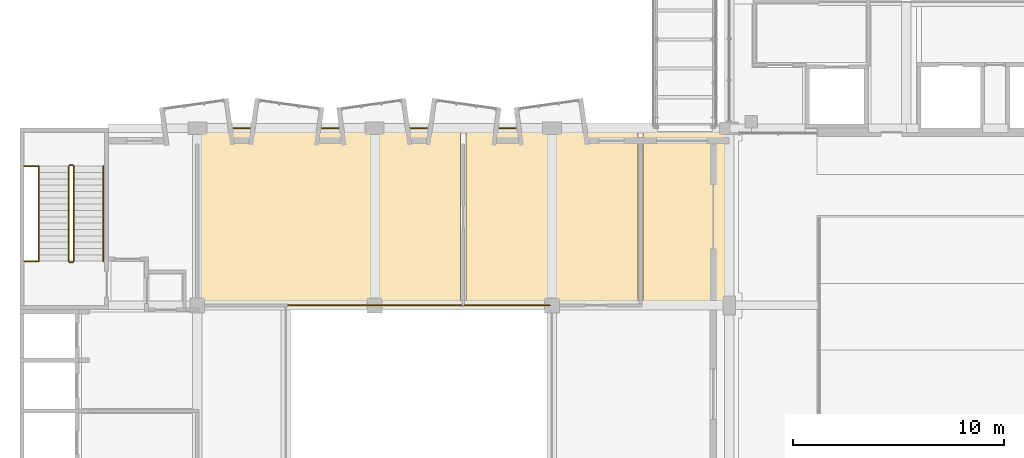
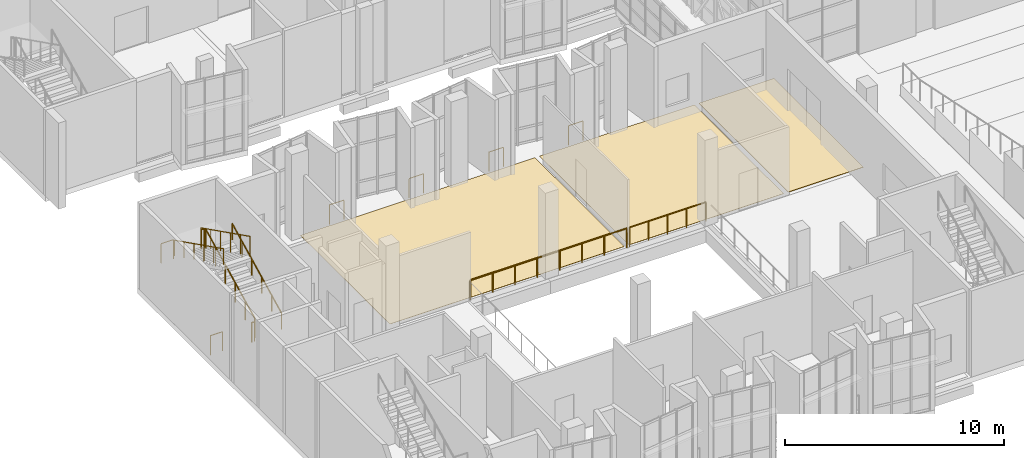
# One storey, part 60 of 67: 14 railings, 3 coverings.
"""IFC4 building model written with IfcOpenShell, lengths in metres."""

from ifc_helpers import new_model, si_unit, direction, frame, origin, origin_2d, place, context, subcontext, project, spatial, polyline, circle, outline, extrude, material, layer, layer_set, type_object, element, save


model = new_model("IFC4")

# Units and contexts
model_context = context("Model", 3, precision=1e-05, world=origin(), true_north=direction((0.0, 1.0)))
body_context = subcontext(model_context, "Body", "Model", "MODEL_VIEW")
ifc_project = project(units=[si_unit("LENGTHUNIT", "METRE"), si_unit("AREAUNIT", "SQUARE_METRE"), si_unit("VOLUMEUNIT", "CUBIC_METRE"), si_unit("PLANEANGLEUNIT", "RADIAN"), si_unit("MASSUNIT", "GRAM", prefix="KILO")], contexts=[model_context])

# Site, building, storey
site_placement = place(None, origin())
site = spatial("IfcSite", under=ifc_project, at=site_placement, CompositionType="ELEMENT")
building_placement = place(site_placement, origin())
building = spatial("IfcBuilding", under=site, at=building_placement, Name="Kiln Court Media Centre", CompositionType="ELEMENT")
storey_placement = place(building_placement, frame((0.0, 0.0, 19.800048828125)))
storey = spatial("IfcBuildingStorey", under=building, at=storey_placement, Name="L04", CompositionType="ELEMENT", Elevation=19.800048828125)

# Coverings
ifc_material_1 = material(Name="Carpet tile")
ifc_layer_1 = layer(ifc_material_1, 0.014892578125)
ifc_layer_set_1 = layer_set([ifc_layer_1], Name="Carpet tile floor finish 15")
covering_type_1 = type_object("IfcCoveringType", Name="Carpet tile floor finish 15", PredefinedType="FLOORING", material=ifc_layer_set_1)
covering_1_placement = place(storey_placement, origin())
element("IfcCovering", 1, at=covering_1_placement, inside=storey, type_object=covering_type_1, Name="Post-production Hall floor finish", PredefinedType="FLOORING", context=body_context, shape_type="SweptSolid", body=[
    extrude(outline(polyline([(8.52001953125, 16.919921875), (20.8798828125, 16.919921875), (20.8798828125, 25.080078125), (8.52001953125, 25.080078125), (8.52001953125, 16.919921875)])), origin(), (0.0, 0.0, 1.0), 0.014892578125),
])
covering_2_placement = place(storey_placement, origin())
element("IfcCovering", 2, at=covering_2_placement, inside=storey, type_object=covering_type_1, Name="Colour Grading Suite floor finish", PredefinedType="FLOORING", context=body_context, shape_type="SweptSolid", body=[
    extrude(outline(polyline([(21.1201171875, 16.919921875), (29.280029296875, 16.919921875), (29.280029296875, 25.080078125), (21.1201171875, 25.080078125), (21.1201171875, 16.919921875)])), origin(), (0.0, 0.0, 1.0), 0.014892578125),
])
ifc_material_2 = material(Name="Terrazzo")
ifc_layer_2 = layer(ifc_material_2, 0.02490234375)
ifc_layer_set_2 = layer_set([ifc_layer_2], Name="Polished terrazzo floor finish 25")
covering_type_2 = type_object("IfcCoveringType", Name="Polished terrazzo floor finish 25", PredefinedType="FLOORING", material=ifc_layer_set_2)
covering_3_placement = place(storey_placement, origin())
element("IfcCovering", 3, at=covering_3_placement, inside=storey, type_object=covering_type_2, Name="Terrace Lobby floor finish", PredefinedType="FLOORING", context=body_context, shape_type="SweptSolid", body=[
    extrude(outline(polyline([(29.52001953125, 16.919921875), (33.47998046875, 16.919921875), (33.47998046875, 25.080078125), (29.52001953125, 25.080078125), (29.52001953125, 16.919921875)])), origin(), (0.0, 0.0, 1.0), 0.02490234375),
])

# Railings
ifc_material_3 = material(Name="Steel S275", Category="steel")
railing_type_1 = type_object("IfcRailingType", Name="Steel S275 balustrade guard 1100", PredefinedType="GUARDRAIL", material=ifc_material_3)
railing_1_placement = place(storey_placement, frame((20.929931640625, 16.800048828125, 0.0)))
element("IfcRailing", 4, at=railing_1_placement, inside=storey, type_object=railing_type_1, Name="L04 void edge guard", PredefinedType="GUARDRAIL", context=body_context, shape_type="SweptSolid", body=[
    extrude(circle(Radius=0.02392578125, at=origin_2d()), frame((0.0, 0.0, 1.076171875), z_axis=(-1.0, 0.0, 0.0), x_axis=(0.0, -1.0, 0.0)), (0.0, 0.0, 1.0), 8.23486328125),
    extrude(circle(Radius=0.02099609375, at=origin_2d()), origin(), (0.0, 0.0, 1.0), 1.052001953125),
    extrude(circle(Radius=0.02099609375, at=origin_2d()), frame((-1.176513671875, 0.0, 0.0)), (0.0, 0.0, 1.0), 1.052001953125),
    extrude(circle(Radius=0.02099609375, at=origin_2d()), frame((-2.352783203125, 0.0, 0.0)), (0.0, 0.0, 1.0), 1.052001953125),
    extrude(circle(Radius=0.02099609375, at=origin_2d()), frame((-3.529296875, 0.0, 0.0)), (0.0, 0.0, 1.0), 1.052001953125),
    extrude(circle(Radius=0.02099609375, at=origin_2d()), frame((-4.70556640625, 0.0, 0.0)), (0.0, 0.0, 1.0), 1.052001953125),
    extrude(circle(Radius=0.02099609375, at=origin_2d()), frame((-5.882080078125, 0.0, 0.0)), (0.0, 0.0, 1.0), 1.052001953125),
    extrude(circle(Radius=0.02099609375, at=origin_2d()), frame((-7.058349609375, 0.0, 0.0)), (0.0, 0.0, 1.0), 1.052001953125),
    extrude(circle(Radius=0.02099609375, at=origin_2d()), frame((-8.23486328125, 0.0, 0.0)), (0.0, 0.0, 1.0), 1.052001953125),
])
railing_2_placement = place(storey_placement, frame((25.10498046875, 16.800048828125, 0.0)))
element("IfcRailing", 5, at=railing_2_placement, inside=storey, type_object=railing_type_1, Name="L04 void edge guard", PredefinedType="GUARDRAIL", context=body_context, shape_type="SweptSolid", body=[
    extrude(circle(Radius=0.02392578125, at=origin_2d()), frame((0.0, 0.0, 1.076171875), z_axis=(-1.0, 0.0, 0.0), x_axis=(0.0, -1.0, 0.0)), (0.0, 0.0, 1.0), 4.034912109375),
    extrude(circle(Radius=0.02099609375, at=origin_2d()), origin(), (0.0, 0.0, 1.0), 1.052001953125),
    extrude(circle(Radius=0.02099609375, at=origin_2d()), frame((-1.0087890625, 0.0, 0.0)), (0.0, 0.0, 1.0), 1.052001953125),
    extrude(circle(Radius=0.02099609375, at=origin_2d()), frame((-2.017578125, 0.0, 0.0)), (0.0, 0.0, 1.0), 1.052001953125),
    extrude(circle(Radius=0.02099609375, at=origin_2d()), frame((-3.026123046875, 0.0, 0.0)), (0.0, 0.0, 1.0), 1.052001953125),
    extrude(circle(Radius=0.02099609375, at=origin_2d()), frame((-4.034912109375, 0.0, 0.0)), (0.0, 0.0, 1.0), 1.052001953125),
])
for number, where, name in (
    (6, (10.11767578125, 25.199951171875, 0.0), "L04 slab notch guard"),
    (7, (14.317626953125, 25.199951171875, 0.0), "L04 slab notch guard"),
    (8, (18.517578125, 25.199951171875, 0.0), "L04 slab notch guard"),
    (9, (22.7177734375, 25.199951171875, 0.0), "L04 slab notch guard"),
):
    element("IfcRailing", number, at=place(storey_placement, frame(where)), inside=storey, type_object=railing_type_1, Name=name, PredefinedType="GUARDRAIL", context=body_context, shape_type="SweptSolid", body=[
        extrude(circle(Radius=0.02392578125, at=origin_2d()), frame((0.0, 0.0, 1.076171875), z_axis=(1.0, 0.0, 0.0), x_axis=(0.0, 1.0, 0.0)), (0.0, 0.0, 1.0), 0.7646484375),
        extrude(circle(Radius=0.02099609375, at=origin_2d()), origin(), (0.0, 0.0, 1.0), 1.052001953125),
        extrude(circle(Radius=0.02099609375, at=origin_2d()), frame((0.7646484375, 0.0, 0.0)), (0.0, 0.0, 1.0), 1.052001953125),
    ])
ifc_material_4 = material(Name="Steel S275", Category="steel")
railing_type_2 = type_object("IfcRailingType", Name="Steel S275 stair guard 1100", PredefinedType="GUARDRAIL", material=ifc_material_4)
railing_3_placement = place(storey_placement, frame((2.550048828125, 18.89990234375, 0.14990234375)))
element("IfcRailing", 10, at=railing_3_placement, inside=storey, type_object=railing_type_2, Name="ST-02 stair guard", PredefinedType="GUARDRAIL", context=body_context, shape_type="SweptSolid", body=[
    extrude(circle(Radius=0.02392578125, at=origin_2d()), frame((0.0, 0.0, 1.076171875), z_axis=(0.0, 0.894427191, 0.4472135955), x_axis=(-1.0, 0.0, 0.0)), (0.0, 0.0, 1.0), 5.03125),
    extrude(circle(Radius=0.02099609375, at=origin_2d()), origin(), (0.0, 0.0, 1.0), 1.052001953125),
    extrude(circle(Radius=0.02099609375, at=origin_2d()), frame((0.0, 0.89990234375, 0.449951171875)), (0.0, 0.0, 1.0), 1.052001953125),
    extrude(circle(Radius=0.02099609375, at=origin_2d()), frame((0.0, 1.800048828125, 0.89990234375)), (0.0, 0.0, 1.0), 1.052001953125),
    extrude(circle(Radius=0.02099609375, at=origin_2d()), frame((0.0, 2.699951171875, 1.35009765625)), (0.0, 0.0, 1.0), 1.052001953125),
    extrude(circle(Radius=0.02099609375, at=origin_2d()), frame((0.0, 3.60009765625, 1.800048828125)), (0.0, 0.0, 1.0), 1.052001953125),
    extrude(circle(Radius=0.02099609375, at=origin_2d()), frame((0.0, 4.5, 2.25)), (0.0, 0.0, 1.0), 1.052001953125),
])
railing_4_placement = place(storey_placement, frame((2.5, 23.449951171875, 2.39990234375)))
element("IfcRailing", 11, at=railing_4_placement, inside=storey, type_object=railing_type_2, Name="ST-02 stair guard", PredefinedType="GUARDRAIL", context=body_context, shape_type="SweptSolid", body=[
    extrude(circle(Radius=0.02392578125, at=origin_2d()), frame((0.0, 0.0, 1.076171875), z_axis=(-1.0, 0.0, 0.0), x_axis=(0.0, -1.0, 0.0)), (0.0, 0.0, 1.0), 0.14990234375),
    extrude(circle(Radius=0.02099609375, at=origin_2d()), origin(), (0.0, 0.0, 1.0), 1.052001953125),
    extrude(circle(Radius=0.02099609375, at=origin_2d()), frame((-0.14990234375, 0.0, 0.0)), (0.0, 0.0, 1.0), 1.052001953125),
])
railing_5_placement = place(storey_placement, frame((2.300048828125, 23.39990234375, 2.550048828125)))
element("IfcRailing", 12, at=railing_5_placement, inside=storey, type_object=railing_type_2, Name="ST-02 stair guard", PredefinedType="GUARDRAIL", context=body_context, shape_type="SweptSolid", body=[
    extrude(circle(Radius=0.02392578125, at=origin_2d()), frame((0.0, 0.0, 1.076171875), z_axis=(0.0, -0.894427191, 0.4472135955), x_axis=(1.0, 0.0, 0.0)), (0.0, 0.0, 1.0), 5.03125),
    extrude(circle(Radius=0.02099609375, at=origin_2d()), origin(), (0.0, 0.0, 1.0), 1.052001953125),
    extrude(circle(Radius=0.02099609375, at=origin_2d()), frame((0.0, -0.89990234375, 0.449951171875)), (0.0, 0.0, 1.0), 1.052001953125),
    extrude(circle(Radius=0.02099609375, at=origin_2d()), frame((0.0, -1.800048828125, 0.89990234375)), (0.0, 0.0, 1.0), 1.052001953125),
    extrude(circle(Radius=0.02099609375, at=origin_2d()), frame((0.0, -2.699951171875, 1.35009765625)), (0.0, 0.0, 1.0), 1.052001953125),
    extrude(circle(Radius=0.02099609375, at=origin_2d()), frame((0.0, -3.60009765625, 1.800048828125)), (0.0, 0.0, 1.0), 1.052001953125),
    extrude(circle(Radius=0.02099609375, at=origin_2d()), frame((0.0, -4.5, 2.25)), (0.0, 0.0, 1.0), 1.052001953125),
])
railing_6_placement = place(storey_placement, frame((2.5, 18.85009765625, 0.0)))
element("IfcRailing", 13, at=railing_6_placement, inside=storey, type_object=railing_type_2, Name="ST-02 stair guard", PredefinedType="GUARDRAIL", context=body_context, shape_type="SweptSolid", body=[
    extrude(circle(Radius=0.02392578125, at=origin_2d()), frame((0.0, 0.0, 1.076171875), z_axis=(-1.0, 0.0, 0.0), x_axis=(0.0, -1.0, 0.0)), (0.0, 0.0, 1.0), 0.14990234375),
    extrude(circle(Radius=0.02099609375, at=origin_2d()), origin(), (0.0, 0.0, 1.0), 1.052001953125),
    extrude(circle(Radius=0.02099609375, at=origin_2d()), frame((-0.14990234375, 0.0, 0.0)), (0.0, 0.0, 1.0), 1.052001953125),
])
for number, where, name in (
    (14, (0.85009765625, 23.39990234375, 2.39990234375), "ST-02 landing edge guard"),
    (15, (0.85009765625, 18.89990234375, 0.0), "ST-02 landing edge guard"),
):
    element("IfcRailing", number, at=place(storey_placement, frame(where)), inside=storey, type_object=railing_type_2, Name=name, PredefinedType="GUARDRAIL", context=body_context, shape_type="SweptSolid", body=[
        extrude(circle(Radius=0.02392578125, at=origin_2d()), frame((0.0, 0.0, 1.076171875), z_axis=(-1.0, 0.0, 0.0), x_axis=(0.0, -1.0, 0.0)), (0.0, 0.0, 1.0), 0.650146484375),
        extrude(circle(Radius=0.02099609375, at=origin_2d()), origin(), (0.0, 0.0, 1.0), 1.052001953125),
        extrude(circle(Radius=0.02099609375, at=origin_2d()), frame((-0.650146484375, 0.0, 0.0)), (0.0, 0.0, 1.0), 1.052001953125),
    ])
ifc_material_5 = material(Name="Steel S275", Category="steel")
railing_type_3 = type_object("IfcRailingType", Name="Steel S275 stair handrail 900", PredefinedType="HANDRAIL", material=ifc_material_5)
railing_7_placement = place(storey_placement, frame((3.949951171875, 18.89990234375, 0.14990234375)))
element("IfcRailing", 16, at=railing_7_placement, inside=storey, type_object=railing_type_3, Name="ST-02 stair handrail", PredefinedType="HANDRAIL", context=body_context, shape_type="SweptSolid", body=[
    extrude(circle(Radius=0.02392578125, at=origin_2d()), frame((0.0, 0.0, 0.8759765625), z_axis=(0.0, 0.894427191, 0.4472135955), x_axis=(-1.0, 0.0, 0.0)), (0.0, 0.0, 1.0), 5.03125),
    extrude(circle(Radius=0.02099609375, at=origin_2d()), origin(), (0.0, 0.0, 1.0), 0.851806640625),
    extrude(circle(Radius=0.02099609375, at=origin_2d()), frame((0.0, 0.89990234375, 0.449951171875)), (0.0, 0.0, 1.0), 0.851806640625),
    extrude(circle(Radius=0.02099609375, at=origin_2d()), frame((0.0, 1.800048828125, 0.89990234375)), (0.0, 0.0, 1.0), 0.851806640625),
    extrude(circle(Radius=0.02099609375, at=origin_2d()), frame((0.0, 2.699951171875, 1.35009765625)), (0.0, 0.0, 1.0), 0.851806640625),
    extrude(circle(Radius=0.02099609375, at=origin_2d()), frame((0.0, 3.60009765625, 1.800048828125)), (0.0, 0.0, 1.0), 0.851806640625),
    extrude(circle(Radius=0.02099609375, at=origin_2d()), frame((0.0, 4.5, 2.25)), (0.0, 0.0, 1.0), 0.851806640625),
])
railing_8_placement = place(storey_placement, frame((0.89990234375, 23.39990234375, 2.550048828125)))
element("IfcRailing", 17, at=railing_8_placement, inside=storey, type_object=railing_type_3, Name="ST-02 stair handrail", PredefinedType="HANDRAIL", context=body_context, shape_type="SweptSolid", body=[
    extrude(circle(Radius=0.02392578125, at=origin_2d()), frame((0.0, 0.0, 0.8759765625), z_axis=(0.0, -0.894427191, 0.4472135955), x_axis=(1.0, 0.0, 0.0)), (0.0, 0.0, 1.0), 5.03125),
    extrude(circle(Radius=0.02099609375, at=origin_2d()), origin(), (0.0, 0.0, 1.0), 0.851806640625),
    extrude(circle(Radius=0.02099609375, at=origin_2d()), frame((0.0, -0.89990234375, 0.449951171875)), (0.0, 0.0, 1.0), 0.851806640625),
    extrude(circle(Radius=0.02099609375, at=origin_2d()), frame((0.0, -1.800048828125, 0.89990234375)), (0.0, 0.0, 1.0), 0.851806640625),
    extrude(circle(Radius=0.02099609375, at=origin_2d()), frame((0.0, -2.699951171875, 1.35009765625)), (0.0, 0.0, 1.0), 0.851806640625),
    extrude(circle(Radius=0.02099609375, at=origin_2d()), frame((0.0, -3.60009765625, 1.800048828125)), (0.0, 0.0, 1.0), 0.851806640625),
    extrude(circle(Radius=0.02099609375, at=origin_2d()), frame((0.0, -4.5, 2.25)), (0.0, 0.0, 1.0), 0.851806640625),
])

save(model, "model.ifc")
